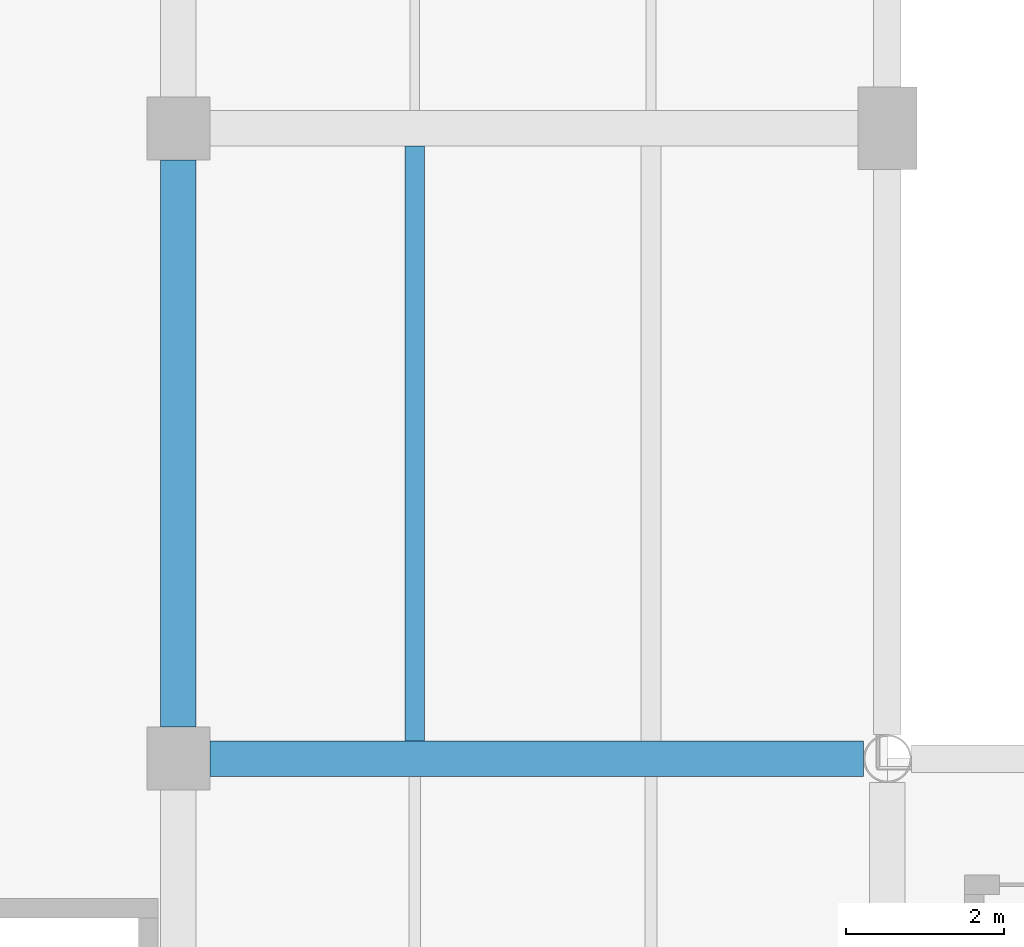
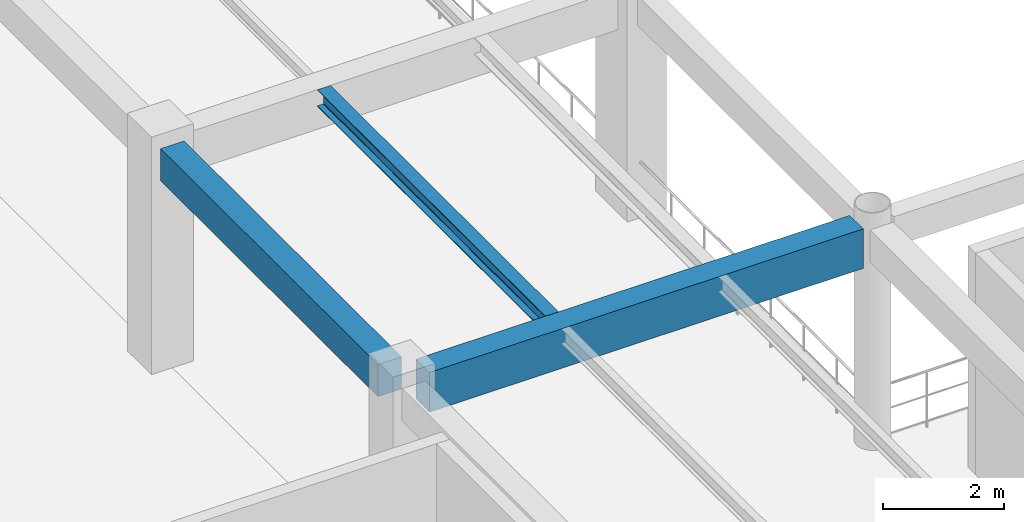
# One storey, part 37 of 178: 3 beams.
"""IFC4 building model written with IfcOpenShell, lengths in metres."""

from ifc_helpers import new_model, si_unit, derived_unit, direction, frame, origin, origin_2d, place, context, subcontext, project, spatial, rectangle, i_section, extrude, material, material_profile, profile_set, type_object, element, save


model = new_model("IFC4")

# Units and contexts
model_context = context("Model", 3, precision=1e-05, world=origin(), true_north=direction((0.0, 1.0)))
body_context = subcontext(model_context, "Body", "Model", "MODEL_VIEW")
ifc_project = project(units=[si_unit("LENGTHUNIT", "METRE"), si_unit("AREAUNIT", "SQUARE_METRE"), si_unit("VOLUMEUNIT", "CUBIC_METRE"), si_unit("PLANEANGLEUNIT", "RADIAN"), si_unit("MASSUNIT", "GRAM", prefix="KILO"), derived_unit("THERMALTRANSMITTANCEUNIT", [(si_unit("MASSUNIT", "GRAM", prefix="KILO"), 1), (si_unit("TIMEUNIT", "SECOND"), -3), (si_unit("THERMODYNAMICTEMPERATUREUNIT", "KELVIN"), -1)])], contexts=[model_context])

# Site, building, storey
site_placement = place(None, origin())
site = spatial("IfcSite", under=ifc_project, at=site_placement, CompositionType="ELEMENT")
building_placement = place(site_placement, origin())
building = spatial("IfcBuilding", under=site, at=building_placement, Name="Zhenchuan Archway Interchange", CompositionType="ELEMENT")
storey_placement = place(building_placement, frame((0.0, 0.0, 5.39990234375)))
storey = spatial("IfcBuildingStorey", under=building, at=storey_placement, Name="L01", CompositionType="ELEMENT", Elevation=5.39990234375)

# Beams
ifc_material_1 = material(Name="Concrete C40", Category="concrete")
ifc_material_profile_1 = material_profile(ifc_material_1, rectangle(XDim=0.449951171875, YDim=0.64990234375, at=origin_2d()), Name="RC 450x650")
ifc_profile_set_1 = profile_set([ifc_material_profile_1], Name="Concrete C40")
beam_type_1 = type_object("IfcBeamType", Name="BM_RC_450x650", PredefinedType="BEAM", material=ifc_profile_set_1)
beam_1_placement = place(storey_placement, frame((27.0, 32.39990234375, 4.18505859375), z_axis=(0.0, 1.0, 0.0), x_axis=(-1.0, 0.0, 0.0)))
element("IfcBeam", 1, at=beam_1_placement, inside=storey, type_object=beam_type_1, Name="Beam 4:E-F (L01)", PredefinedType="BEAM", context=body_context, shape_type="SweptSolid", body=[
    extrude(rectangle(XDim=0.449951171875, YDim=0.64990234375, at=origin_2d()), origin(), (0.0, 0.0, 1.0), 7.2001953125),
])
ifc_material_profile_2 = material_profile(ifc_material_1, rectangle(XDim=0.449951171875, YDim=0.800048828125, at=origin_2d()), Name="RC 450x800")
ifc_profile_set_2 = profile_set([ifc_material_profile_2], Name="Concrete C40")
beam_type_2 = type_object("IfcBeamType", Name="BM_RC_450x800", PredefinedType="BEAM", material=ifc_profile_set_2)
beam_2_placement = place(storey_placement, frame((27.39990234375, 32.0, 4.110107421875), z_axis=(1.0, 0.0, 0.0), x_axis=(0.0, 1.0, 0.0)))
element("IfcBeam", 2, at=beam_2_placement, inside=storey, type_object=beam_type_2, Name="Beam E:4-5 (L01)", PredefinedType="BEAM", context=body_context, shape_type="SweptSolid", body=[
    extrude(rectangle(XDim=0.449951171875, YDim=0.800048828125, at=origin_2d()), origin(), (0.0, 0.0, 1.0), 8.295166015625),
])
ifc_material_2 = material(Name="Steel Q355", Category="steel")
ifc_material_profile_3 = material_profile(ifc_material_2, i_section(OverallWidth=0.25, OverallDepth=0.340087890625, WebThickness=0.009033203125, FlangeThickness=0.013916015625, FilletRadius=0.01806640625, at=origin_2d()), Name="HM 340x250")
ifc_profile_set_3 = profile_set([ifc_material_profile_3], Name="Steel Q355")
beam_type_3 = type_object("IfcBeamType", Name="JST_STL_HM340", PredefinedType="JOIST", material=ifc_profile_set_3)
beam_3_placement = place(storey_placement, frame((30.0, 32.22509765625, 4.340087890625), z_axis=(0.0, 1.0, 0.0), x_axis=(-1.0, 0.0, 0.0)))
element("IfcBeam", 3, at=beam_3_placement, inside=storey, type_object=beam_type_3, Name="Secondary joist 4-5/E-F #1 (L01)", PredefinedType="JOIST", context=body_context, shape_type="SweptSolid", body=[
    extrude(i_section(OverallWidth=0.25, OverallDepth=0.340087890625, WebThickness=0.009033203125, FlangeThickness=0.013916015625, FilletRadius=0.01806640625, at=origin_2d()), origin(), (0.0, 0.0, 1.0), 7.5498046875),
])

save(model, "model.ifc")
